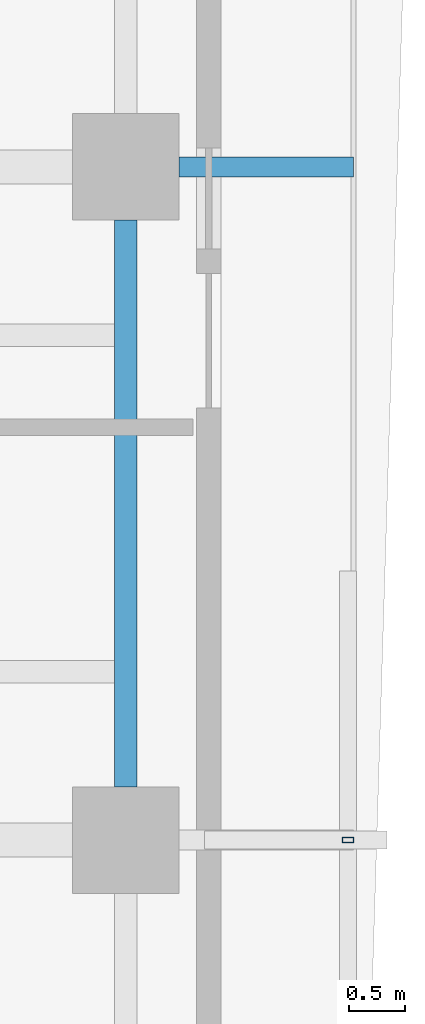
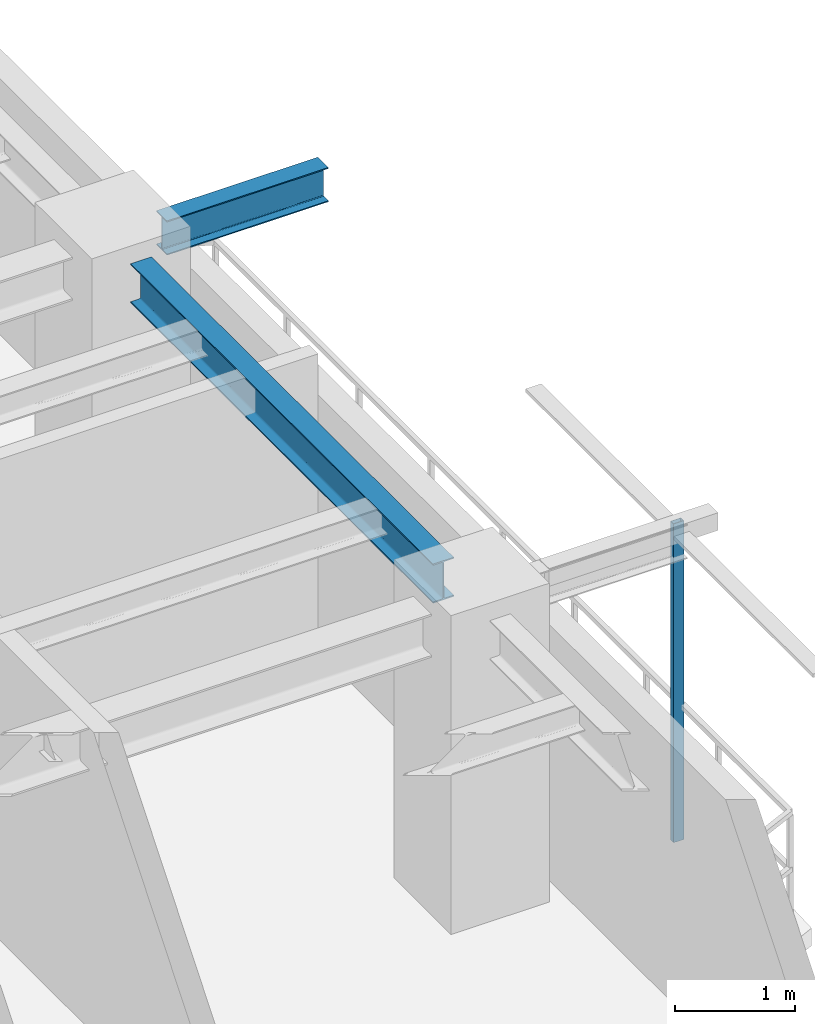
# One storey, part 7 of 17: 2 beams, 1 member.
"""IFC4 building model written with IfcOpenShell, lengths in metres."""

from ifc_helpers import new_model, si_unit, direction, frame, origin, origin_2d, place, context, subcontext, project, spatial, hollow_rectangle, i_section, extrude, source, transform, mapped, material, material_profile, profile_set, type_object, element, save


model = new_model("IFC4")

# Units and contexts
model_context = context("Model", 3, precision=1e-05, world=origin(), true_north=direction((0.0, 1.0)))
body_context = subcontext(model_context, "Body", "Model", "MODEL_VIEW")
ifc_project = project(units=[si_unit("LENGTHUNIT", "METRE"), si_unit("AREAUNIT", "SQUARE_METRE"), si_unit("VOLUMEUNIT", "CUBIC_METRE"), si_unit("PLANEANGLEUNIT", "RADIAN"), si_unit("MASSUNIT", "GRAM", prefix="KILO"), si_unit("THERMODYNAMICTEMPERATUREUNIT", "KELVIN"), si_unit("POWERUNIT", "WATT")], contexts=[model_context])

# Site, building, storey
site_placement = place(None, origin())
site = spatial("IfcSite", under=ifc_project, at=site_placement, CompositionType="ELEMENT")
building_placement = place(site_placement, origin())
building = spatial("IfcBuilding", under=site, at=building_placement, Name="Qiaomeng Ring Towers", CompositionType="ELEMENT")
storey_placement = place(building_placement, frame((0.0, 0.0, 143.75)))
storey = spatial("IfcBuildingStorey", under=building, at=storey_placement, Name="L41", CompositionType="ELEMENT", Elevation=143.75)

# Beams
ifc_material_1 = material(Name="Steel Q355B", Category="steel")
ifc_material_profile_1 = material_profile(ifc_material_1, i_section(OverallWidth=0.199951171875, OverallDepth=0.39990234375, WebThickness=0.008056640625, FlangeThickness=0.012939453125, FilletRadius=0.01611328125, at=origin_2d()), Name="HN 400x200x8x13")
ifc_profile_set_1 = profile_set([ifc_material_profile_1], Name="Steel Q355B")
beam_type_1 = type_object("IfcBeamType", Name="STR-BM-HN400", PredefinedType="SPANDREL", material=ifc_profile_set_1)
shared_shape_1 = source(origin(), body_context, "Body", "SweptSolid", [
    extrude(i_section(OverallWidth=0.199951171875, OverallDepth=0.39990234375, WebThickness=0.008056640625, FlangeThickness=0.012939453125, FilletRadius=0.01611328125, at=origin_2d()), origin(), (0.0, 0.0, 1.0), 5.0517578125),
])
beam_1_placement = place(storey_placement, frame((36.050048828125, 20.47412109375, 2.8701171875), z_axis=(0.0, 1.0, 0.0), x_axis=(-1.0, 0.0, 0.0)))
element("IfcBeam", 1, at=beam_1_placement, inside=storey, type_object=beam_type_1, Name="L41 beam STR-SP-L41-T1-E2-E3", PredefinedType="SPANDREL", context=body_context, shape_type="MappedRepresentation", body=[
    mapped(shared_shape_1, transform((0.0, 0.0, 0.0), x_axis=(1.0, 0.0, 0.0), y_axis=(0.0, 1.0, 0.0), z_axis=(0.0, 0.0, 1.0), scale=1.0)),
])
ifc_material_profile_2 = material_profile(ifc_material_1, i_section(OverallWidth=0.175048828125, OverallDepth=0.35009765625, WebThickness=0.007080078125, FlangeThickness=0.010986328125, FilletRadius=0.013916015625, at=origin_2d()), Name="HN 350x175x7x11")
ifc_profile_set_2 = profile_set([ifc_material_profile_2], Name="Steel Q355B")
beam_type_2 = type_object("IfcBeamType", Name="STR-BM-HN350", PredefinedType="JOIST", material=ifc_profile_set_2)
shared_shape_2 = source(origin(), body_context, "Body", "SweptSolid", [
    extrude(i_section(OverallWidth=0.175048828125, OverallDepth=0.35009765625, WebThickness=0.007080078125, FlangeThickness=0.010986328125, FilletRadius=0.013916015625, at=origin_2d()), origin(), (0.0, 0.0, 1.0), 1.55615234375),
])
beam_2_placement = place(storey_placement, frame((36.52392578125, 26.0, 2.89501953125), z_axis=(1.0, 0.0, 0.0), x_axis=(0.0, 1.0, 0.0)))
element("IfcBeam", 2, at=beam_2_placement, inside=storey, type_object=beam_type_2, Name="L41 beam STR-BALBM-L41-E3", PredefinedType="JOIST", context=body_context, shape_type="MappedRepresentation", body=[
    mapped(shared_shape_2, transform((0.0, 0.0, 0.0), x_axis=(1.0, 0.0, 0.0), y_axis=(0.0, 1.0, 0.0), z_axis=(0.0, 0.0, 1.0), scale=1.0)),
])

# Member
ifc_material_2 = material(Name="Stainless steel 316", Category="steel")
ifc_material_profile_3 = material_profile(ifc_material_2, hollow_rectangle(XDim=0.050048828125, YDim=0.10009765625, WallThickness=0.00390625, at=origin_2d()), Name="SS TRELLIS 100x50")
ifc_profile_set_3 = profile_set([ifc_material_profile_3], Name="Stainless steel 316")
member_type = type_object("IfcMemberType", Name="ARC-TR-POST2", PredefinedType="STUD", material=ifc_profile_set_3)
shared_shape_3 = source(origin(), body_context, "Body", "SweptSolid", [
    extrude(hollow_rectangle(XDim=0.050048828125, YDim=0.10009765625, WallThickness=0.00390625, at=origin_2d()), origin(), (0.0, 0.0, 1.0), 3.25),
])
member_placement = place(storey_placement, frame((38.030029296875, 20.0, -0.179931640625), z_axis=(0.0, 0.0, 1.0), x_axis=(0.0, 1.0, 0.0)))
element("IfcMember", 3, at=member_placement, inside=storey, type_object=member_type, Name="L41 Outer Ventilated Trellis Post E", PredefinedType="STUD", context=body_context, shape_type="MappedRepresentation", body=[
    mapped(shared_shape_3, transform((0.0, 0.0, 0.0), x_axis=(1.0, 0.0, 0.0), y_axis=(0.0, 1.0, 0.0), z_axis=(0.0, 0.0, 1.0), scale=1.0)),
])

save(model, "model.ifc")
